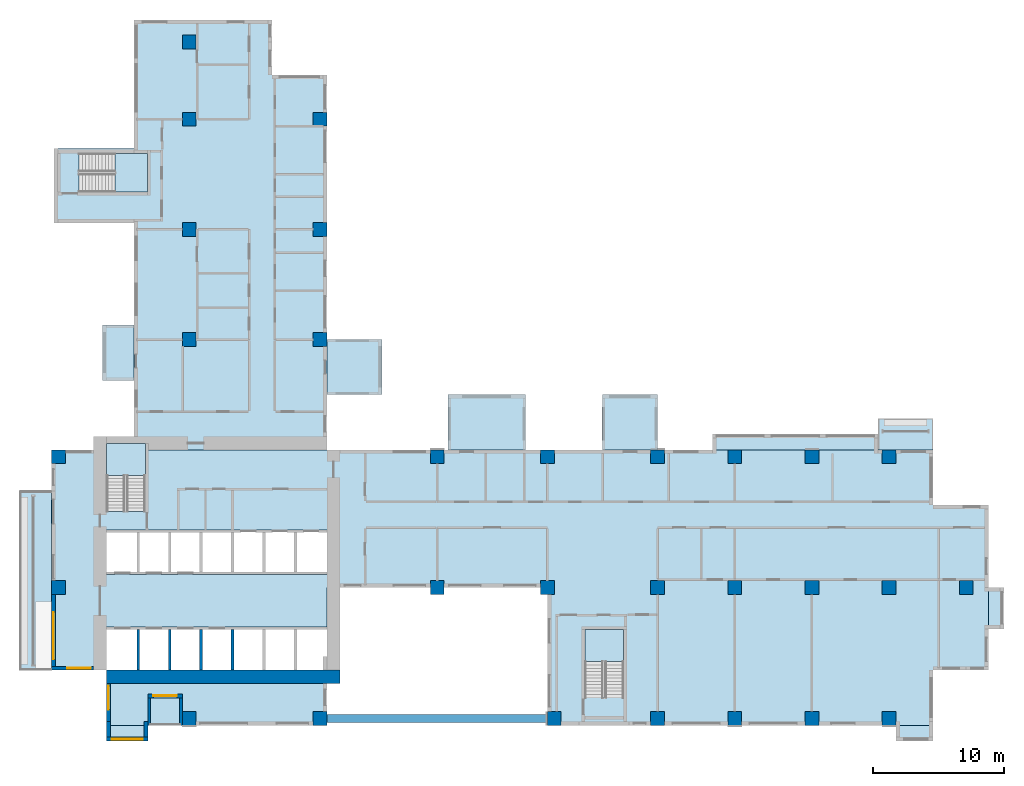
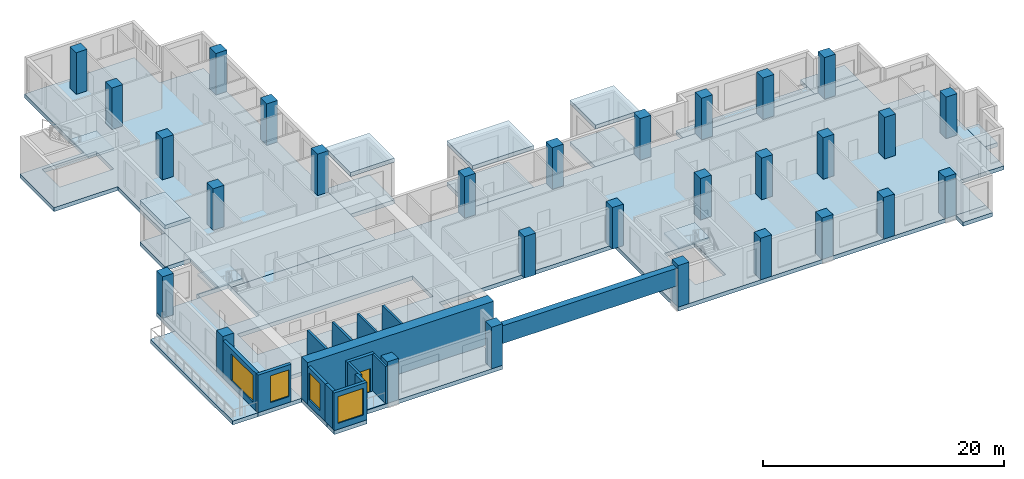
# One storey, part 1 of 14: 29 columns, 20 slabs, 14 walls, 4 windows, 1 beam, 1 door, 5 openings, 3 elements without a shape of their own.
"""IFC4 building model written with IfcOpenShell, lengths in metres."""

from ifc_helpers import new_model, si_unit, direction, frame, frame_2d, origin, origin_2d, place, context, subcontext, project, spatial, polyline, rectangle, outline, extrude, source, transform, mapped, material, layer, layer_set, material_profile, profile_set, type_object, element, fill, aggregate, save


model = new_model("IFC4")

# Units and contexts
model_context = context("Model", 3, precision=1e-05, world=origin(), true_north=direction((0.0, 1.0)))
body_context = subcontext(model_context, "Body", "Model", "MODEL_VIEW")
ifc_project = project(units=[si_unit("LENGTHUNIT", "METRE"), si_unit("AREAUNIT", "SQUARE_METRE"), si_unit("VOLUMEUNIT", "CUBIC_METRE"), si_unit("PLANEANGLEUNIT", "RADIAN"), si_unit("MASSUNIT", "GRAM", prefix="KILO")], contexts=[model_context])

# Site, building, storey
site_placement = place(None, origin())
site = spatial("IfcSite", under=ifc_project, at=site_placement, CompositionType="ELEMENT")
building_placement = place(site_placement, origin())
building = spatial("IfcBuilding", under=site, at=building_placement, Name="Aurelian Terraces", CompositionType="ELEMENT")
storey_placement = place(building_placement, frame((0.0, 0.0, 153.9)))
storey = spatial("IfcBuildingStorey", under=building, at=storey_placement, Name="L34", CompositionType="ELEMENT", Elevation=153.9)

# Columns
ifc_material_1 = material(Name="Concrete fc' 83 MPa", Category="concrete")
ifc_material_profile_1 = material_profile(ifc_material_1, rectangle(XDim=1.05, YDim=1.05, at=origin_2d()))
ifc_profile_set_1 = profile_set([ifc_material_profile_1], Name="Concrete fc' 83 MPa")
column_type = type_object("IfcColumnType", Name="RC COLUMN 1050X1050 FC83", PredefinedType="COLUMN", material=ifc_profile_set_1)
shared_shape_1 = source(origin(), body_context, "Body", "SweptSolid", [
    extrude(rectangle(XDim=1.05, YDim=1.05, at=origin_2d()), origin(), (0.0, 0.0, 1.0), 4.2),
])
for number, where, z_axis, x_axis, name in (
    (1, (10.5, 0.525, 0.0), (0.0, 0.0, 1.0), (1.0, 0.0, 0.0), "Column 2/A L34"),
    (2, (20.475, 0.525, 0.0), (0.0, 0.0, 1.0), (1.0, 0.0, 0.0), "Column 3/A L34"),
    (3, (38.325, 0.525, 0.0), (0.0, 0.0, 1.0), (1.0, 0.0, 0.0), "Column 5/A L34"),
    (4, (46.2, 0.525, 0.0), (0.0, 0.0, 1.0), (1.0, 0.0, 0.0), "Column 6/A L34"),
    (5, (52.08, 0.525, 0.0), (0.0, 0.0, 1.0), (1.0, 0.0, 0.0), "Column 7/A L34"),
    (6, (57.96, 0.525, 0.0), (0.0, 0.0, 1.0), (1.0, 0.0, 0.0), "Column 8/A L34"),
    (7, (63.84, 0.525, 0.0), (0.0, 0.0, 1.0), (1.0, 0.0, 0.0), "Column 9/A L34"),
    (8, (0.525, 10.5, 0.0), (0.0, 0.0, 1.0), (1.0, 0.0, 0.0), "Column 1/B L34"),
    (9, (29.4, 10.5, 0.0), (0.0, 0.0, 1.0), (1.0, 0.0, 0.0), "Column 4/B L34"),
    (10, (37.8, 10.5, 0.0), (0.0, 0.0, 1.0), (1.0, 0.0, 0.0), "Column 5/B L34"),
    (11, (46.2, 10.5, 0.0), (0.0, 0.0, 1.0), (1.0, 0.0, 0.0), "Column 6/B L34"),
    (12, (52.08, 10.5, 0.0), (0.0, 0.0, 1.0), (1.0, 0.0, 0.0), "Column 7/B L34"),
    (13, (57.96, 10.5, 0.0), (0.0, 0.0, 1.0), (1.0, 0.0, 0.0), "Column 8/B L34"),
    (14, (63.84, 10.5, 0.0), (0.0, 0.0, 1.0), (1.0, 0.0, 0.0), "Column 9/B L34"),
    (15, (69.72, 10.5, 0.0), (0.0, 0.0, 1.0), (1.0, 0.0, 0.0), "Column 10/B L34"),
    (16, (0.525, 20.475, 0.0), (0.0, 0.0, 1.0), (1.0, 0.0, 0.0), "Column 1/C L34"),
    (17, (29.4, 20.475, 0.0), (0.0, 0.0, 1.0), (1.0, 0.0, 0.0), "Column 4/C L34"),
    (18, (37.8, 20.475, 0.0), (0.0, 0.0, 1.0), (1.0, 0.0, 0.0), "Column 5/C L34"),
    (19, (46.2, 20.475, 0.0), (0.0, 0.0, 1.0), (1.0, 0.0, 0.0), "Column 6/C L34"),
    (20, (52.08, 20.475, 0.0), (0.0, 0.0, 1.0), (1.0, 0.0, 0.0), "Column 7/C L34"),
    (21, (57.96, 20.475, 0.0), (0.0, 0.0, 1.0), (1.0, 0.0, 0.0), "Column 8/C L34"),
    (22, (63.84, 20.475, 0.0), (0.0, 0.0, 1.0), (1.0, 0.0, 0.0), "Column 9/C L34"),
    (23, (10.5, 29.4, 0.0), (0.0, 0.0, 1.0), (1.0, 0.0, 0.0), "Column 2/D L34"),
    (24, (20.475, 29.4, 0.0), (0.0, 0.0, 1.0), (1.0, 0.0, 0.0), "Column 3/D L34"),
    (25, (10.5, 37.8, 0.0), (0.0, 0.0, 1.0), (1.0, 0.0, 0.0), "Column 2/E L34"),
    (26, (20.475, 37.8, 0.0), (0.0, 0.0, 1.0), (1.0, 0.0, 0.0), "Column 3/E L34"),
    (27, (10.5, 46.2, 0.0), (0.0, 0.0, 1.0), (1.0, 0.0, 0.0), "Column 2/F L34"),
    (28, (20.475, 46.2, 0.0), (0.0, 0.0, 1.0), (1.0, 0.0, 0.0), "Column 3/F L34"),
    (29, (10.5, 52.08, 0.0), (0.0, 0.0, 1.0), (1.0, 0.0, 0.0), "Column 2/G L34"),
):
    element("IfcColumn", number, at=place(storey_placement, frame(where, z_axis=z_axis, x_axis=x_axis)), inside=storey, type_object=column_type, Name=name, PredefinedType="COLUMN", context=body_context, shape_type="MappedRepresentation", body=[
        mapped(shared_shape_1, transform((0.0, 0.0, 0.0), scale=1.0)),
    ])

# Beam
ifc_material_2 = material(Name="Concrete fc' 70 MPa", Category="concrete")
ifc_material_profile_2 = material_profile(ifc_material_2, rectangle(XDim=0.6, YDim=1.8, at=origin_2d()))
ifc_profile_set_2 = profile_set([ifc_material_profile_2], Name="Concrete fc' 70 MPa")
beam_type = type_object("IfcBeamType", Name="CONCRETE HEAD GIRDER 600X1800", PredefinedType="BEAM", material=ifc_profile_set_2)
shared_shape_2 = source(origin(), body_context, "Body", "SweptSolid", [
    extrude(rectangle(XDim=0.6, YDim=1.8, at=origin_2d()), origin(), (0.0, 0.0, 1.0), 16.8),
])
beam_placement = place(storey_placement, frame((21.0, 0.525, 2.9), z_axis=(1.0, 0.0, 0.0), x_axis=(0.0, 1.0, 0.0)))
element("IfcBeam", 30, at=beam_placement, inside=storey, type_object=beam_type, Name="Sky terrace head girder SKY-05.1", PredefinedType="BEAM", context=body_context, shape_type="MappedRepresentation", body=[
    mapped(shared_shape_2, transform((0.0, 0.0, 0.0), scale=1.0)),
])

# Slabs
ifc_material_3 = material(Name="Concrete fc' 40 MPa", Category="concrete")
ifc_layer_1 = layer(ifc_material_3, 0.4)
ifc_layer_set_1 = layer_set([ifc_layer_1], Name="Bay floor 400")
slab_type_1 = type_object("IfcSlabType", Name="Bay floor 400", PredefinedType="NOTDEFINED", material=ifc_layer_set_1)
slab_1_placement = place(storey_placement, frame((0.0, 0.0, -0.4)))
element("IfcSlab", 31, at=slab_1_placement, inside=storey, type_object=slab_type_1, Name="Bay floor L34 F11.23", PredefinedType="NOTDEFINED", context=body_context, shape_type="SweptSolid", body=[
    extrude(outline(polyline([(63.0, 21.0), (50.4, 21.0), (50.4, 22.2), (63.0, 22.2), (63.0, 21.0)])), origin(), (0.0, 0.0, 1.0), 0.4),
])
ifc_layer_2 = layer(ifc_material_3, 0.4)
ifc_layer_set_2 = layer_set([ifc_layer_2], Name="Box roof 400")
slab_type_2 = type_object("IfcSlabType", Name="Box roof 400", PredefinedType="ROOF", material=ifc_layer_set_2)
slab_2_placement = place(storey_placement, frame((0.0, 0.0, 3.8)))
element("IfcSlab", 32, at=slab_2_placement, inside=storey, type_object=slab_type_2, Name="Box roof J50", PredefinedType="ROOF", context=body_context, shape_type="SweptSolid", body=[
    extrude(outline(polyline([(3.9, 30.5), (3.9, 26.3), (6.3, 26.3), (6.3, 30.5), (3.9, 30.5)])), origin(), (0.0, 0.0, 1.0), 0.4),
])
ifc_layer_3 = layer(ifc_material_3, 0.4)
ifc_layer_set_3 = layer_set([ifc_layer_3], Name="PT FLAT PLATE 400")
slab_type_3 = type_object("IfcSlabType", Name="PT FLAT PLATE 400", PredefinedType="FLOOR", material=ifc_layer_set_3)
shared_shape_3 = source(origin(), body_context, "Body", "SweptSolid", [
    extrude(outline(polyline([(71.4, 16.8), (71.4, 4.2), (67.2, 4.2), (67.2, 0.0), (37.8, 0.0), (37.8, 10.5), (21.0, 10.5), (21.0, 0.0), (4.2, 0.0), (4.2, 4.2), (0.0, 4.2), (0.0, 21.0), (4.21, 21.0), (4.21, 16.31), (7.14, 16.31), (7.14, 21.0), (21.0, 21.0), (67.2, 21.0), (67.2, 16.8), (71.4, 16.8)]), holes=[polyline([(40.66, 2.11), (43.59, 2.11), (43.59, 7.29), (40.66, 7.29), (40.66, 2.11)]), polyline([(4.21, 7.49), (4.21, 4.21), (20.99, 4.21), (20.99, 7.49), (4.21, 7.49)]), polyline([(4.21, 14.89), (4.21, 11.51), (20.99, 11.51), (20.99, 14.89), (4.21, 14.89)])]), origin(), (0.0, 0.0, 1.0), 0.4),
])
slab_3_placement = place(storey_placement, frame((0.0, 0.0, -0.4)))
element("IfcSlab", 33, at=slab_3_placement, inside=storey, type_object=slab_type_3, Name="Floor slab S L34", PredefinedType="FLOOR", context=body_context, shape_type="MappedRepresentation", body=[
    mapped(shared_shape_3, transform((0.0, 0.0, 0.0), scale=1.0)),
])
shared_shape_4 = source(origin(), body_context, "Body", "SweptSolid", [
    extrude(outline(polyline([(0.2, 43.95), (6.3, 43.95), (6.3, 49.56), (6.3, 53.76), (10.5, 53.76), (16.8, 53.76), (16.8, 49.56), (21.0, 49.56), (21.0, 21.0), (7.14, 21.0), (7.14, 21.49), (4.21, 21.49), (4.21, 21.0), (4.2, 21.0), (4.2, 21.6), (6.3, 21.6), (6.3, 38.3), (0.2, 38.3), (0.2, 43.95)]), holes=[polyline([(7.29, 43.59), (2.11, 43.59), (2.11, 40.66), (7.29, 40.66), (7.29, 43.59)])]), origin(), (0.0, 0.0, 1.0), 0.4),
])
slab_4_placement = place(storey_placement, frame((0.0, 0.0, -0.4)))
element("IfcSlab", 34, at=slab_4_placement, inside=storey, type_object=slab_type_3, Name="Floor slab W L34", PredefinedType="FLOOR", context=body_context, shape_type="MappedRepresentation", body=[
    mapped(shared_shape_4, transform((0.0, 0.0, 0.0), scale=1.0)),
])
shared_shape_5 = source(origin(), body_context, "Body", "SweptSolid", [
    extrude(outline(polyline([(71.4, 7.35), (71.4, 10.5), (72.6, 10.5), (72.6, 7.35), (71.4, 7.35)])), origin(), (0.0, 0.0, 1.0), 0.4),
])
slab_5_placement = place(storey_placement, frame((0.0, 0.0, -0.4)))
element("IfcSlab", 35, at=slab_5_placement, inside=storey, type_object=slab_type_1, Name="Bay floor L34 F08.18", PredefinedType="NOTDEFINED", context=body_context, shape_type="MappedRepresentation", body=[
    mapped(shared_shape_5, transform((0.0, 0.0, 0.0), scale=1.0)),
])
shared_shape_6 = source(origin(), body_context, "Body", "SweptSolid", [
    extrude(outline(polyline([(4.2, 0.0), (7.35, 0.0), (7.35, -1.2), (4.2, -1.2), (4.2, 0.0)])), origin(), (0.0, 0.0, 1.0), 0.4),
])
slab_6_placement = place(storey_placement, frame((0.0, 0.0, -0.4)))
element("IfcSlab", 36, at=slab_6_placement, inside=storey, type_object=slab_type_1, Name="Bay floor L34 F01.1", PredefinedType="NOTDEFINED", context=body_context, shape_type="MappedRepresentation", body=[
    mapped(shared_shape_6, transform((0.0, 0.0, 0.0), scale=1.0)),
])
ifc_layer_4 = layer(ifc_material_3, 0.41)
ifc_layer_set_4 = layer_set([ifc_layer_4], Name="Box floor 410")
slab_type_4 = type_object("IfcSlabType", Name="Box floor 410", PredefinedType="NOTDEFINED", material=ifc_layer_set_4)
shared_shape_7 = source(origin(), body_context, "Body", "SweptSolid", [
    extrude(outline(polyline([(36.12, 25.2), (30.24, 25.2), (30.24, 21.0), (36.12, 21.0), (36.12, 25.2)])), origin(), (0.0, 0.0, 1.0), 0.41),
])
slab_7_placement = place(storey_placement, frame((0.0, 0.0, -0.41)))
element("IfcSlab", 37, at=slab_7_placement, inside=storey, type_object=slab_type_4, Name="Box floor L34 J47", PredefinedType="NOTDEFINED", context=body_context, shape_type="MappedRepresentation", body=[
    mapped(shared_shape_7, transform((0.0, 0.0, 0.0), scale=1.0)),
])
ifc_layer_5 = layer(ifc_material_3, 0.4)
ifc_layer_set_5 = layer_set([ifc_layer_5], Name="Balcony slab 400")
slab_type_5 = type_object("IfcSlabType", Name="Balcony slab 400", PredefinedType="NOTDEFINED", material=ifc_layer_set_5)
shared_shape_8 = source(origin(), body_context, "Body", "SweptSolid", [
    extrude(outline(polyline([(67.2, 21.0), (63.0, 21.0), (63.0, 23.4), (67.2, 23.4), (67.2, 21.0)])), origin(), (0.0, 0.0, 1.0), 0.4),
])
slab_8_placement = place(storey_placement, frame((0.0, 0.0, -0.4)))
element("IfcSlab", 38, at=slab_8_placement, inside=storey, type_object=slab_type_5, Name="Balcony slab L34 F11.22", PredefinedType="NOTDEFINED", context=body_context, shape_type="MappedRepresentation", body=[
    mapped(shared_shape_8, transform((0.0, 0.0, 0.0), scale=1.0)),
])
shared_shape_9 = source(origin(), body_context, "Body", "SweptSolid", [
    extrude(outline(polyline([(25.2, 25.2), (25.2, 29.4), (21.0, 29.4), (21.0, 25.2), (25.2, 25.2)])), origin(), (0.0, 0.0, 1.0), 0.41),
])
slab_9_placement = place(storey_placement, frame((0.0, 0.0, -0.41)))
element("IfcSlab", 39, at=slab_9_placement, inside=storey, type_object=slab_type_4, Name="Box floor L34 J49", PredefinedType="NOTDEFINED", context=body_context, shape_type="MappedRepresentation", body=[
    mapped(shared_shape_9, transform((0.0, 0.0, 0.0), scale=1.0)),
])
shared_shape_10 = source(origin(), body_context, "Body", "SweptSolid", [
    extrude(outline(polyline([(36.12, 25.2), (30.24, 25.2), (30.24, 21.0), (36.12, 21.0), (36.12, 25.2)])), origin(), (0.0, 0.0, 1.0), 0.4),
])
slab_10_placement = place(storey_placement, frame((0.0, 0.0, 3.8)))
element("IfcSlab", 40, at=slab_10_placement, inside=storey, type_object=slab_type_2, Name="Box roof J47", PredefinedType="ROOF", context=body_context, shape_type="MappedRepresentation", body=[
    mapped(shared_shape_10, transform((0.0, 0.0, 0.0), scale=1.0)),
])
shared_shape_11 = source(origin(), body_context, "Body", "SweptSolid", [
    extrude(outline(polyline([(46.2, 25.2), (42.0, 25.2), (42.0, 21.0), (46.2, 21.0), (46.2, 25.2)])), origin(), (0.0, 0.0, 1.0), 0.41),
])
slab_11_placement = place(storey_placement, frame((0.0, 0.0, -0.41)))
element("IfcSlab", 41, at=slab_11_placement, inside=storey, type_object=slab_type_4, Name="Box floor L34 J48", PredefinedType="NOTDEFINED", context=body_context, shape_type="MappedRepresentation", body=[
    mapped(shared_shape_11, transform((0.0, 0.0, 0.0), scale=1.0)),
])
shared_shape_12 = source(origin(), body_context, "Body", "SweptSolid", [
    extrude(outline(polyline([(25.2, 25.2), (25.2, 29.4), (21.0, 29.4), (21.0, 25.2), (25.2, 25.2)])), origin(), (0.0, 0.0, 1.0), 0.4),
])
slab_12_placement = place(storey_placement, frame((0.0, 0.0, 3.8)))
element("IfcSlab", 42, at=slab_12_placement, inside=storey, type_object=slab_type_2, Name="Box roof J49", PredefinedType="ROOF", context=body_context, shape_type="MappedRepresentation", body=[
    mapped(shared_shape_12, transform((0.0, 0.0, 0.0), scale=1.0)),
])
shared_shape_13 = source(origin(), body_context, "Body", "SweptSolid", [
    extrude(outline(polyline([(0.0, 17.85), (0.0, 4.2), (-2.4, 4.2), (-2.4, 17.85), (0.0, 17.85)])), origin(), (0.0, 0.0, 1.0), 0.4),
])
slab_13_placement = place(storey_placement, frame((0.0, 0.0, -0.4)))
element("IfcSlab", 43, at=slab_13_placement, inside=storey, type_object=slab_type_5, Name="Balcony slab L34 F24.43", PredefinedType="NOTDEFINED", context=body_context, shape_type="MappedRepresentation", body=[
    mapped(shared_shape_13, transform((0.0, 0.0, 0.0), scale=1.0)),
])
shared_shape_14 = source(origin(), body_context, "Body", "SweptSolid", [
    extrude(outline(polyline([(64.365, 0.0), (67.2, 0.0), (67.2, -1.2), (64.365, -1.2), (64.365, 0.0)])), origin(), (0.0, 0.0, 1.0), 0.4),
])
slab_14_placement = place(storey_placement, frame((0.0, 0.0, -0.4)))
element("IfcSlab", 44, at=slab_14_placement, inside=storey, type_object=slab_type_1, Name="Bay floor L34 F05.13", PredefinedType="NOTDEFINED", context=body_context, shape_type="MappedRepresentation", body=[
    mapped(shared_shape_14, transform((0.0, 0.0, 0.0), scale=1.0)),
])
shared_shape_15 = source(origin(), body_context, "Body", "SweptSolid", [
    extrude(outline(polyline([(46.2, 25.2), (42.0, 25.2), (42.0, 21.0), (46.2, 21.0), (46.2, 25.2)])), origin(), (0.0, 0.0, 1.0), 0.4),
])
slab_15_placement = place(storey_placement, frame((0.0, 0.0, 3.8)))
element("IfcSlab", 45, at=slab_15_placement, inside=storey, type_object=slab_type_2, Name="Box roof J48", PredefinedType="ROOF", context=body_context, shape_type="MappedRepresentation", body=[
    mapped(shared_shape_15, transform((0.0, 0.0, 0.0), scale=1.0)),
])
ifc_material_4 = material(Name="Granite paving", Category="masonry")
ifc_layer_6 = layer(ifc_material_4, 0.05)
ifc_layer_set_6 = layer_set([ifc_layer_6], Name="Loggia paving 50")
slab_type_6 = type_object("IfcSlabType", Name="Loggia paving 50", PredefinedType="NOTDEFINED", material=ifc_layer_set_6)
shared_shape_16 = source(origin(), body_context, "Body", "SweptSolid", [
    extrude(outline(polyline([(7.55, 0.0), (9.775, 0.0), (9.775, 2.1), (7.55, 2.1), (7.55, 0.0)])), origin(), (0.0, 0.0, 1.0), 0.05),
])
slab_16_placement = place(storey_placement, origin())
element("IfcSlab", 46, at=slab_16_placement, inside=storey, type_object=slab_type_6, Name="Loggia floor L34 F01.2", PredefinedType="NOTDEFINED", context=body_context, shape_type="MappedRepresentation", body=[
    mapped(shared_shape_16, transform((0.0, 0.0, 0.0), scale=1.0)),
])
shared_shape_17 = source(origin(), body_context, "Body", "SweptSolid", [
    extrude(outline(polyline([(3.9, 30.5), (3.9, 26.3), (6.3, 26.3), (6.3, 30.5), (3.9, 30.5)])), origin(), (0.0, 0.0, 1.0), 0.41),
])
slab_17_placement = place(storey_placement, frame((0.0, 0.0, -0.41)))
element("IfcSlab", 47, at=slab_17_placement, inside=storey, type_object=slab_type_4, Name="Box floor L34 J50", PredefinedType="NOTDEFINED", context=body_context, shape_type="MappedRepresentation", body=[
    mapped(shared_shape_17, transform((0.0, 0.0, 0.0), scale=1.0)),
])

# Stair, slab
stair_type = type_object("IfcStairType", Name="Stair 1400", PredefinedType="HALF_TURN_STAIR", material=ifc_material_3)
stair_1_placement = place(storey_placement, origin())
stair_1 = element("IfcStair", 48, at=stair_1_placement, inside=storey, type_object=stair_type, Name="L34 S1", PredefinedType="HALF_TURN_STAIR")
ifc_layer_7 = layer(ifc_material_3, 0.2)
ifc_layer_set_7 = layer_set([ifc_layer_7], Name="Stair landing 200")
slab_type_7 = type_object("IfcSlabType", Name="Stair landing 200", PredefinedType="LANDING", material=ifc_layer_set_7)
shared_shape_18 = source(origin(), body_context, "Body", "SweptSolid", [
    extrude(outline(polyline([(7.15, 19.05), (7.15, 21.5), (4.2, 21.5), (4.2, 19.05), (7.15, 19.05)])), origin(), (0.0, 0.0, 1.0), 0.2),
])
slab_18_placement = place(storey_placement, frame((0.0, 0.0, 1.9)))
slab_18 = element("IfcSlab", 49, at=slab_18_placement, type_object=slab_type_7, Name="S1 landing 1", PredefinedType="LANDING", context=body_context, shape_type="MappedRepresentation", body=[
    mapped(shared_shape_18, transform((0.0, 0.0, 0.0), scale=1.0)),
])
aggregate(stair_1, [slab_18])

stair_2_placement = place(storey_placement, origin())
stair_2 = element("IfcStair", 50, at=stair_2_placement, inside=storey, type_object=stair_type, Name="L34 S2", PredefinedType="HALF_TURN_STAIR")
shared_shape_19 = source(origin(), body_context, "Body", "SweptSolid", [
    extrude(outline(polyline([(43.6, 4.85), (43.6, 7.3), (40.65, 7.3), (40.65, 4.85), (43.6, 4.85)])), origin(), (0.0, 0.0, 1.0), 0.2),
])
slab_19_placement = place(storey_placement, frame((0.0, 0.0, 1.9)))
slab_19 = element("IfcSlab", 51, at=slab_19_placement, type_object=slab_type_7, Name="S2 landing 1", PredefinedType="LANDING", context=body_context, shape_type="MappedRepresentation", body=[
    mapped(shared_shape_19, transform((0.0, 0.0, 0.0), scale=1.0)),
])
aggregate(stair_2, [slab_19])

stair_3_placement = place(storey_placement, origin())
stair_3 = element("IfcStair", 52, at=stair_3_placement, inside=storey, type_object=stair_type, Name="L34 S3", PredefinedType="HALF_TURN_STAIR")
shared_shape_20 = source(origin(), body_context, "Body", "SweptSolid", [
    extrude(outline(polyline([(4.85, 40.65), (7.3, 40.65), (7.3, 43.6), (4.85, 43.6), (4.85, 40.65)])), origin(), (0.0, 0.0, 1.0), 0.2),
])
slab_20_placement = place(storey_placement, frame((0.0, 0.0, 1.9)))
slab_20 = element("IfcSlab", 53, at=slab_20_placement, type_object=slab_type_7, Name="S3 landing 1", PredefinedType="LANDING", context=body_context, shape_type="MappedRepresentation", body=[
    mapped(shared_shape_20, transform((0.0, 0.0, 0.0), scale=1.0)),
])
aggregate(stair_3, [slab_20])

# Wall
ifc_layer_8 = layer(ifc_material_1, 1.0)
ifc_layer_set_8 = layer_set([ifc_layer_8], Name="CORE WALL 1000 FC83")
wall_type_1 = type_object("IfcWallType", Name="CORE WALL 1000 FC83", PredefinedType="SHEAR", material=ifc_layer_set_8)
shared_shape_21 = source(origin(), body_context, "Body", "SweptSolid", [
    extrude(rectangle(XDim=17.8, YDim=1.0, at=frame_2d((8.9, 0.0))), origin(), (0.0, 0.0, 1.0), 4.2),
])
wall_1_placement = place(storey_placement, frame((4.2, 3.7, 0.0), z_axis=(0.0, 0.0, 1.0), x_axis=(1.0, 0.0, 0.0)))
element("IfcWall", 54, at=wall_1_placement, inside=storey, type_object=wall_type_1, Name="Core wall S L34", PredefinedType="SHEAR", context=body_context, shape_type="MappedRepresentation", body=[
    mapped(shared_shape_21, transform((0.0, 0.0, 0.0), scale=1.0)),
])

# Wall, opening, window
ifc_material_5 = material(Name="Terracotta rainscreen cladding", Category="masonry")
ifc_layer_9 = layer(ifc_material_5, 0.3)
ifc_layer_set_9 = layer_set([ifc_layer_9], Name="EW-300")
wall_type_2 = type_object("IfcWallType", Name="EW-300", PredefinedType="STANDARD", material=ifc_layer_set_9)
shared_shape_22 = source(origin(), body_context, "Body", "SweptSolid", [
    extrude(rectangle(XDim=3.15, YDim=0.3, at=frame_2d((1.575, 0.0))), origin(), (0.0, 0.0, 1.0), 3.8),
])
wall_2_placement = place(storey_placement, frame((4.2, -1.05, 0.0), z_axis=(0.0, 0.0, 1.0), x_axis=(1.0, 0.0, 0.0)))
wall_2 = element("IfcWall", 55, at=wall_2_placement, inside=storey, type_object=wall_type_2, Name="Bay wall L34 F01.1", PredefinedType="STANDARD", context=body_context, shape_type="MappedRepresentation", body=[
    mapped(shared_shape_22, transform((0.0, 0.0, 0.0), scale=1.0)),
])
shared_shape_23 = source(origin(), body_context, "Body", "SweptSolid", [
    extrude(rectangle(XDim=2.4, YDim=2.7, at=frame_2d((1.2, 1.35))), frame((0.0, 0.16, 0.0), z_axis=(0.0, -1.0, 0.0), x_axis=(1.0, 0.0, 0.0)), (0.0, 0.0, 1.0), 0.32),
])
opening_1_placement = place(wall_2_placement, frame((0.375, 0.0, 0.6)))
opening_1 = element("IfcOpeningElement", 56, at=opening_1_placement, cuts=wall_2, Name="Opening W2427", PredefinedType="OPENING", context=body_context, shape_type="MappedRepresentation", body=[
    mapped(shared_shape_23, transform((0.0, 0.0, 0.0), scale=1.0)),
])
ifc_material_6 = material(Name="Clear glazing", Category="glass")
window_type_1 = type_object("IfcWindowType", Name="W-2400x2700", PartitioningType="SINGLE_PANEL", PredefinedType="WINDOW", material=ifc_material_6)
shared_shape_24 = source(origin(), body_context, "Body", "SweptSolid", [
    extrude(rectangle(XDim=2.4, YDim=2.7, at=frame_2d((1.2, 1.35))), frame((0.0, 0.03, 0.0), z_axis=(0.0, -1.0, 0.0), x_axis=(1.0, 0.0, 0.0)), (0.0, 0.0, 1.0), 0.06),
])
window_1_placement = place(opening_1_placement, origin())
window_1 = element("IfcWindow", 57, at=window_1_placement, inside=storey, type_object=window_type_1, Name="Window L34 L34-F01-01-0", OverallHeight=2.7, OverallWidth=2.4, PartitioningType="SINGLE_PANEL", PredefinedType="WINDOW", context=body_context, shape_type="MappedRepresentation", body=[
    mapped(shared_shape_24, transform((0.0, 0.0, 0.0), scale=1.0)),
])
fill(opening_1, window_1)

# Walls
shared_shape_25 = source(origin(), body_context, "Body", "SweptSolid", [
    extrude(rectangle(XDim=1.2, YDim=0.3, at=frame_2d((0.6, 0.0))), origin(), (0.0, 0.0, 1.0), 3.8),
])
for number, where, z_axis, x_axis, name in (
    (58, (4.35, 0.3, 0.0), (0.0, 0.0, 1.0), (0.0, -1.0, 0.0), "Bay return L34 F01.1.1"),
    (59, (7.2, 0.3, 0.0), (0.0, 0.0, 1.0), (0.0, -1.0, 0.0), "Bay return L34 F01.1.2"),
):
    element("IfcWall", number, at=place(storey_placement, frame(where, z_axis=z_axis, x_axis=x_axis)), inside=storey, type_object=wall_type_2, Name=name, PredefinedType="STANDARD", context=body_context, shape_type="MappedRepresentation", body=[
        mapped(shared_shape_25, transform((0.0, 0.0, 0.0), scale=1.0)),
    ])
ifc_layer_10 = layer(ifc_material_5, 0.2)
ifc_layer_set_10 = layer_set([ifc_layer_10], Name="EW-200")
wall_type_3 = type_object("IfcWallType", Name="EW-200", PredefinedType="STANDARD", material=ifc_layer_set_10)
shared_shape_26 = source(origin(), body_context, "Body", "SweptSolid", [
    extrude(rectangle(XDim=2.1, YDim=0.2, at=frame_2d((1.05, 0.0))), origin(), (0.0, 0.0, 1.0), 3.8),
])
for number, where, z_axis, x_axis, name in (
    (60, (7.45, 0.0, 0.0), (0.0, 0.0, 1.0), (0.0, 1.0, 0.0), "Loggia return L34 F01.2.1"),
    (61, (9.875, 0.0, 0.0), (0.0, 0.0, 1.0), (0.0, 1.0, 0.0), "Loggia return L34 F01.2.2"),
):
    element("IfcWall", number, at=place(storey_placement, frame(where, z_axis=z_axis, x_axis=x_axis)), inside=storey, type_object=wall_type_3, Name=name, PredefinedType="STANDARD", context=body_context, shape_type="MappedRepresentation", body=[
        mapped(shared_shape_26, transform((0.0, 0.0, 0.0), scale=1.0)),
    ])

# Wall, opening, window
shared_shape_27 = source(origin(), body_context, "Body", "SweptSolid", [
    extrude(rectangle(XDim=3.2, YDim=0.3, at=frame_2d((1.6, 0.0))), origin(), (0.0, 0.0, 1.0), 3.8),
])
wall_3_placement = place(storey_placement, frame((0.0, 4.35, 0.0), z_axis=(0.0, 0.0, 1.0), x_axis=(1.0, 0.0, 0.0)))
wall_3 = element("IfcWall", 62, at=wall_3_placement, inside=storey, type_object=wall_type_2, Name="External wall L34 F25.44", PredefinedType="STANDARD", context=body_context, shape_type="MappedRepresentation", body=[
    mapped(shared_shape_27, transform((0.0, 0.0, 0.0), scale=1.0)),
])
shared_shape_28 = source(origin(), body_context, "Body", "SweptSolid", [
    extrude(rectangle(XDim=1.8, YDim=2.7, at=frame_2d((0.9, 1.35))), frame((0.0, 0.16, 0.0), z_axis=(0.0, -1.0, 0.0), x_axis=(1.0, 0.0, 0.0)), (0.0, 0.0, 1.0), 0.32),
])
opening_2_placement = place(wall_3_placement, frame((1.2, 0.0, 0.6)))
opening_2 = element("IfcOpeningElement", 63, at=opening_2_placement, cuts=wall_3, Name="Opening W1827", PredefinedType="OPENING", context=body_context, shape_type="MappedRepresentation", body=[
    mapped(shared_shape_28, transform((0.0, 0.0, 0.0), scale=1.0)),
])
window_type_2 = type_object("IfcWindowType", Name="W-1800x2700", PartitioningType="SINGLE_PANEL", PredefinedType="WINDOW", material=ifc_material_6)
shared_shape_29 = source(origin(), body_context, "Body", "SweptSolid", [
    extrude(rectangle(XDim=1.8, YDim=2.7, at=frame_2d((0.9, 1.35))), frame((0.0, 0.03, 0.0), z_axis=(0.0, -1.0, 0.0), x_axis=(1.0, 0.0, 0.0)), (0.0, 0.0, 1.0), 0.06),
])
window_2_placement = place(opening_2_placement, origin())
window_2 = element("IfcWindow", 64, at=window_2_placement, inside=storey, type_object=window_type_2, Name="Window L34 L34-F25-44-0", OverallHeight=2.7, OverallWidth=1.8, PartitioningType="SINGLE_PANEL", PredefinedType="WINDOW", context=body_context, shape_type="MappedRepresentation", body=[
    mapped(shared_shape_29, transform((0.0, 0.0, 0.0), scale=1.0)),
])
fill(opening_2, window_2)

wall_4_placement = place(storey_placement, frame((4.35, 3.2, 0.0), z_axis=(0.0, 0.0, 1.0), x_axis=(0.0, -1.0, 0.0)))
wall_4 = element("IfcWall", 65, at=wall_4_placement, inside=storey, type_object=wall_type_2, Name="External wall L34 F26.45", PredefinedType="STANDARD", context=body_context, shape_type="MappedRepresentation", body=[
    mapped(shared_shape_27, transform((0.0, 0.0, 0.0), scale=1.0)),
])
opening_3_placement = place(wall_4_placement, frame((0.2, 0.0, 0.6)))
opening_3 = element("IfcOpeningElement", 66, at=opening_3_placement, cuts=wall_4, Name="Opening W1827", PredefinedType="OPENING", context=body_context, shape_type="MappedRepresentation", body=[
    mapped(shared_shape_28, transform((0.0, 0.0, 0.0), scale=1.0)),
])
window_3_placement = place(opening_3_placement, origin())
window_3 = element("IfcWindow", 67, at=window_3_placement, inside=storey, type_object=window_type_2, Name="Window L34 L34-F26-45-0", OverallHeight=2.7, OverallWidth=1.8, PartitioningType="SINGLE_PANEL", PredefinedType="WINDOW", context=body_context, shape_type="MappedRepresentation", body=[
    mapped(shared_shape_29, transform((0.0, 0.0, 0.0), scale=1.0)),
])
fill(opening_3, window_3)

# Wall, opening, door
shared_shape_30 = source(origin(), body_context, "Body", "SweptSolid", [
    extrude(rectangle(XDim=2.625, YDim=0.3, at=frame_2d((1.3125, 0.0))), origin(), (0.0, 0.0, 1.0), 3.8),
])
wall_5_placement = place(storey_placement, frame((7.35, 2.25, 0.0), z_axis=(0.0, 0.0, 1.0), x_axis=(1.0, 0.0, 0.0)))
wall_5 = element("IfcWall", 68, at=wall_5_placement, inside=storey, type_object=wall_type_2, Name="Loggia wall L34 F01.2", PredefinedType="STANDARD", context=body_context, shape_type="MappedRepresentation", body=[
    mapped(shared_shape_30, transform((0.0, 0.0, 0.0), scale=1.0)),
])
shared_shape_31 = source(origin(), body_context, "Body", "SweptSolid", [
    extrude(rectangle(XDim=1.8, YDim=2.4, at=frame_2d((0.9, 1.2))), frame((0.0, 0.16, 0.0), z_axis=(0.0, -1.0, 0.0), x_axis=(1.0, 0.0, 0.0)), (0.0, 0.0, 1.0), 0.32),
])
opening_4_placement = place(wall_5_placement, frame((0.4125, 0.0, 0.0)))
opening_4 = element("IfcOpeningElement", 69, at=opening_4_placement, cuts=wall_5, Name="Opening 83401", PredefinedType="OPENING", context=body_context, shape_type="MappedRepresentation", body=[
    mapped(shared_shape_31, transform((0.0, 0.0, 0.0), scale=1.0)),
])
door_type = type_object("IfcDoorType", Name="BD-1800x2400", OperationType="SLIDING_TO_LEFT", PredefinedType="DOOR", material=ifc_material_6)
shared_shape_32 = source(origin(), body_context, "Body", "SweptSolid", [
    extrude(rectangle(XDim=1.8, YDim=2.4, at=frame_2d((0.9, 1.2))), frame((0.0, 0.025, 0.0), z_axis=(0.0, -1.0, 0.0), x_axis=(1.0, 0.0, 0.0)), (0.0, 0.0, 1.0), 0.05),
])
door_placement = place(opening_4_placement, origin())
door = element("IfcDoor", 70, at=door_placement, inside=storey, type_object=door_type, Name="Balcony door L34 F01.2", OperationType="SLIDING_TO_LEFT", OverallHeight=2.4, OverallWidth=1.8, PredefinedType="DOOR", context=body_context, shape_type="MappedRepresentation", body=[
    mapped(shared_shape_32, transform((0.0, 0.0, 0.0), scale=1.0)),
])
fill(opening_4, door)

# Wall, opening, window
shared_shape_33 = source(origin(), body_context, "Body", "SweptSolid", [
    extrude(rectangle(XDim=5.775, YDim=0.3, at=frame_2d((2.8875, 0.0))), origin(), (0.0, 0.0, 1.0), 3.8),
])
wall_6_placement = place(storey_placement, frame((0.15, 9.975, 0.0), z_axis=(0.0, 0.0, 1.0), x_axis=(0.0, -1.0, 0.0)))
wall_6 = element("IfcWall", 71, at=wall_6_placement, inside=storey, type_object=wall_type_2, Name="External wall L34 F24.43", PredefinedType="STANDARD", context=body_context, shape_type="MappedRepresentation", body=[
    mapped(shared_shape_33, transform((0.0, 0.0, 0.0), scale=1.0)),
])
shared_shape_34 = source(origin(), body_context, "Body", "SweptSolid", [
    extrude(rectangle(XDim=3.6, YDim=2.7, at=frame_2d((1.8, 1.35))), frame((0.0, 0.16, 0.0), z_axis=(0.0, -1.0, 0.0), x_axis=(1.0, 0.0, 0.0)), (0.0, 0.0, 1.0), 0.32),
])
opening_5_placement = place(wall_6_placement, frame((1.35, 0.0, 0.6)))
opening_5 = element("IfcOpeningElement", 72, at=opening_5_placement, cuts=wall_6, Name="Opening W3627", PredefinedType="OPENING", context=body_context, shape_type="MappedRepresentation", body=[
    mapped(shared_shape_34, transform((0.0, 0.0, 0.0), scale=1.0)),
])
window_type_3 = type_object("IfcWindowType", Name="W-3600x2700", PartitioningType="SINGLE_PANEL", PredefinedType="WINDOW", material=ifc_material_6)
shared_shape_35 = source(origin(), body_context, "Body", "SweptSolid", [
    extrude(rectangle(XDim=3.6, YDim=2.7, at=frame_2d((1.8, 1.35))), frame((0.0, 0.03, 0.0), z_axis=(0.0, -1.0, 0.0), x_axis=(1.0, 0.0, 0.0)), (0.0, 0.0, 1.0), 0.06),
])
window_4_placement = place(opening_5_placement, origin())
window_4 = element("IfcWindow", 73, at=window_4_placement, inside=storey, type_object=window_type_3, Name="Window L34 L34-F24-43-2", OverallHeight=2.7, OverallWidth=3.6, PartitioningType="SINGLE_PANEL", PredefinedType="WINDOW", context=body_context, shape_type="MappedRepresentation", body=[
    mapped(shared_shape_35, transform((0.0, 0.0, 0.0), scale=1.0)),
])
fill(opening_5, window_4)

# Walls
ifc_layer_11 = layer(ifc_material_3, 0.2)
ifc_layer_set_11 = layer_set([ifc_layer_11], Name="Lift shaft wall 200")
wall_type_4 = type_object("IfcWallType", Name="Lift shaft wall 200", PredefinedType="SOLIDWALL", material=ifc_layer_set_11)
shared_shape_36 = source(origin(), body_context, "Body", "SweptSolid", [
    extrude(rectangle(XDim=3.1, YDim=0.2, at=frame_2d((1.55, 0.0))), origin(), (0.0, 0.0, 1.0), 4.2),
])
for number, where, z_axis, x_axis, name in (
    (74, (6.6, 4.2, 0.0), (0.0, 0.0, 1.0), (0.0, 1.0, 0.0), "L34 core wall CD-A1"),
    (75, (9.0, 4.2, 0.0), (0.0, 0.0, 1.0), (0.0, 1.0, 0.0), "L34 core wall CD-A2"),
    (76, (11.4, 4.2, 0.0), (0.0, 0.0, 1.0), (0.0, 1.0, 0.0), "L34 core wall CD-A3"),
    (77, (13.8, 4.2, 0.0), (0.0, 0.0, 1.0), (0.0, 1.0, 0.0), "L34 core wall CD-A4"),
):
    element("IfcWall", number, at=place(storey_placement, frame(where, z_axis=z_axis, x_axis=x_axis)), inside=storey, type_object=wall_type_4, Name=name, PredefinedType="SOLIDWALL", context=body_context, shape_type="MappedRepresentation", body=[
        mapped(shared_shape_36, transform((0.0, 0.0, 0.0), scale=1.0)),
    ])

save(model, "model.ifc")
